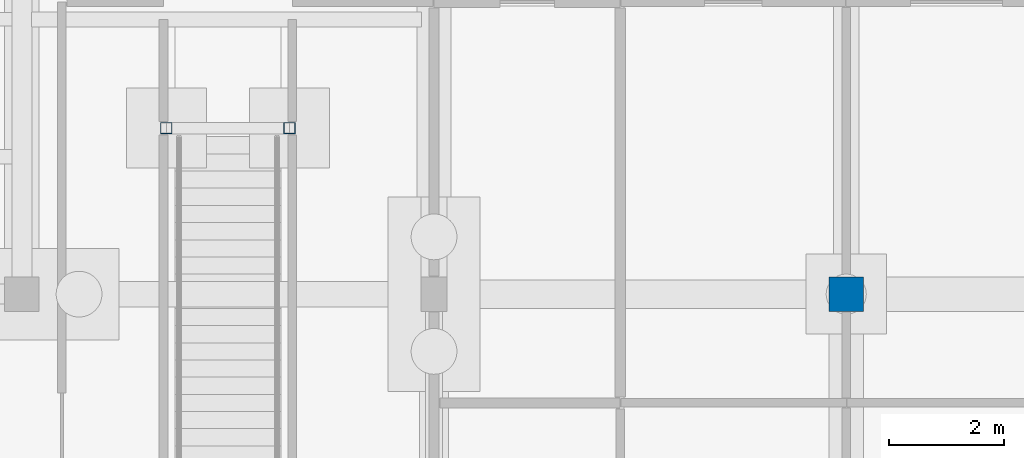
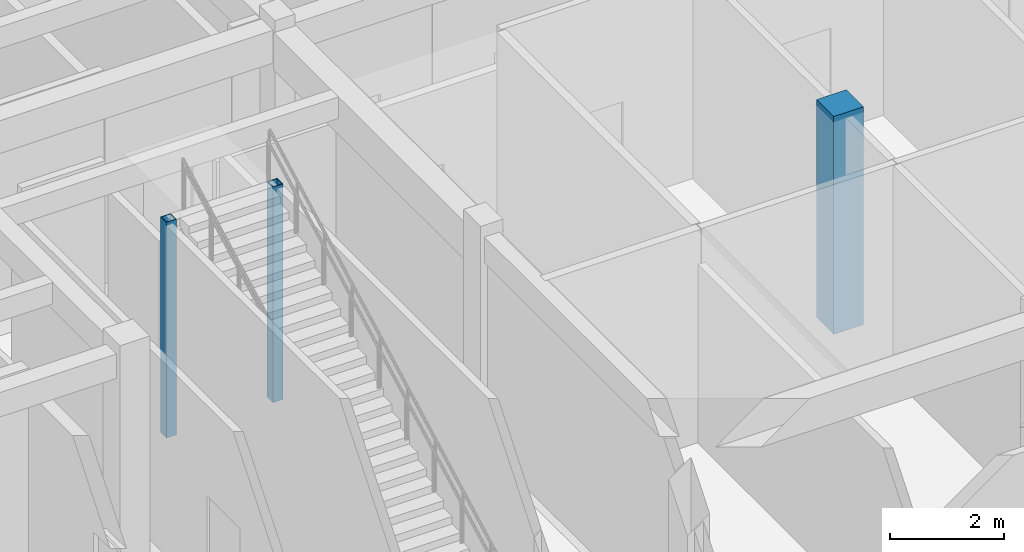
# One storey, part 15 of 143: 3 columns.
"""IFC4 building model written with IfcOpenShell, lengths in metres."""

from ifc_helpers import new_model, si_unit, direction, frame, origin, origin_2d, place, context, subcontext, project, spatial, rectangle, hollow_rectangle, extrude, material, material_profile, profile_set, type_object, element, save


model = new_model("IFC4")

# Units and contexts
model_context = context("Model", 3, precision=1e-05, world=origin(), true_north=direction((0.0, 1.0)))
body_context = subcontext(model_context, "Body", "Model", "MODEL_VIEW")
ifc_project = project(units=[si_unit("LENGTHUNIT", "METRE"), si_unit("AREAUNIT", "SQUARE_METRE"), si_unit("VOLUMEUNIT", "CUBIC_METRE"), si_unit("PLANEANGLEUNIT", "RADIAN"), si_unit("MASSUNIT", "GRAM", prefix="KILO")], contexts=[model_context])

# Site, building, storey
site_placement = place(None, origin())
site = spatial("IfcSite", under=ifc_project, at=site_placement, CompositionType="ELEMENT")
building_placement = place(site_placement, origin())
building = spatial("IfcBuilding", under=site, at=building_placement, Name="Steenspoor Specialist Clinic", CompositionType="ELEMENT")
storey_placement = place(building_placement, origin())
storey = spatial("IfcBuildingStorey", under=building, at=storey_placement, Name="L00", CompositionType="ELEMENT", Elevation=0.0)

# Columns
ifc_material_1 = material(Name="Concrete C40/50", Category="concrete")
ifc_material_profile_1 = material_profile(ifc_material_1, rectangle(XDim=0.60009765625, YDim=0.60009765625, at=origin_2d()), Name="RC-COL-600X600")
ifc_profile_set_1 = profile_set([ifc_material_profile_1], Name="Concrete C40/50")
column_type_1 = type_object("IfcColumnType", Name="COL-RC-600", PredefinedType="COLUMN", material=ifc_profile_set_1)
column_placement = place(storey_placement, frame((66.800048828125, 27.449951171875, 0.0), z_axis=(0.0, 0.0, 1.0), x_axis=(1.0, 0.0, 0.0)))
element("IfcColumn", 1, at=column_placement, inside=storey, type_object=column_type_1, Name="Column COL-L00-0031", PredefinedType="COLUMN", context=body_context, shape_type="SweptSolid", body=[
    extrude(rectangle(XDim=0.60009765625, YDim=0.60009765625, at=origin_2d()), origin(), (0.0, 0.0, 1.0), 4.64990234375),
])
ifc_material_2 = material(Name="Steel A500 Grade C", Category="steel")
ifc_material_profile_2 = material_profile(ifc_material_2, hollow_rectangle(XDim=0.203125, YDim=0.203125, WallThickness=0.01171875, at=origin_2d()), Name="HSS203X203X12.7")
ifc_profile_set_2 = profile_set([ifc_material_profile_2], Name="Steel A500 Grade C")
column_type_2 = type_object("IfcColumnType", Name="COL-ST-HSS203", PredefinedType="COLUMN", material=ifc_profile_set_2)
for number, where, z_axis, x_axis, name in (
    (2, (54.925048828125, 30.35009765625, 0.0), (0.0, 0.0, 1.0), (1.0, 0.0, 0.0), "Feature Stair Post ST-F01 L"),
    (3, (57.074951171875, 30.35009765625, 0.0), (0.0, 0.0, 1.0), (1.0, 0.0, 0.0), "Feature Stair Post ST-F01 R"),
):
    element("IfcColumn", number, at=place(storey_placement, frame(where, z_axis=z_axis, x_axis=x_axis)), inside=storey, type_object=column_type_2, Name=name, PredefinedType="COLUMN", context=body_context, shape_type="SweptSolid", body=[
        extrude(hollow_rectangle(XDim=0.203125, YDim=0.203125, WallThickness=0.01171875, at=origin_2d()), origin(), (0.0, 0.0, 1.0), 4.60009765625),
    ])

save(model, "model.ifc")
